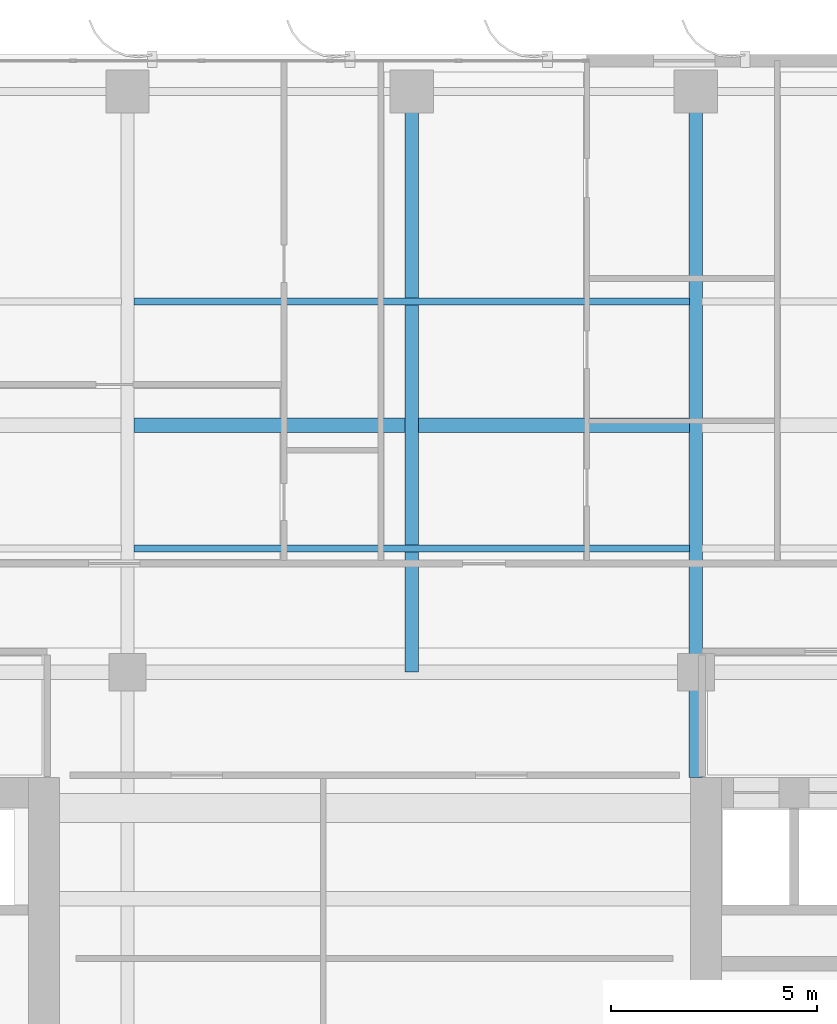
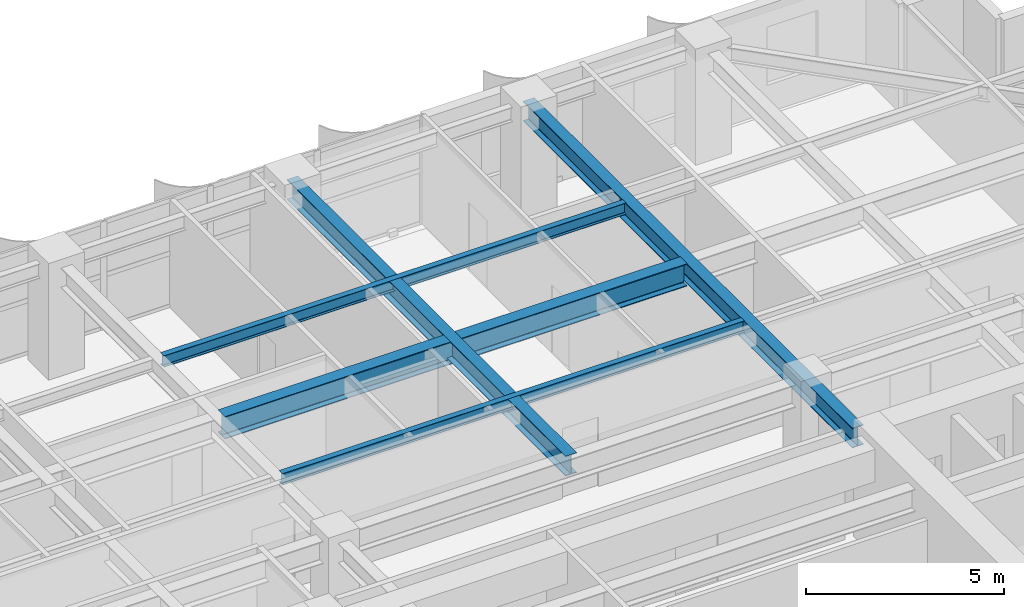
# One storey, part 10 of 22: 5 beams.
"""IFC4 building model written with IfcOpenShell, lengths in metres."""

from ifc_helpers import new_model, si_unit, direction, frame, origin, origin_2d, place, context, subcontext, project, spatial, i_section, extrude, source, transform, mapped, material, material_profile, profile_set, type_object, element, save


model = new_model("IFC4")

# Units and contexts
model_context = context("Model", 3, precision=1e-05, world=origin(), true_north=direction((0.0, 1.0)))
body_context = subcontext(model_context, "Body", "Model", "MODEL_VIEW")
ifc_project = project(units=[si_unit("LENGTHUNIT", "METRE"), si_unit("AREAUNIT", "SQUARE_METRE"), si_unit("VOLUMEUNIT", "CUBIC_METRE"), si_unit("PLANEANGLEUNIT", "RADIAN"), si_unit("MASSUNIT", "GRAM", prefix="KILO")], contexts=[model_context])

# Site, building, storey
site_placement = place(None, origin())
site = spatial("IfcSite", under=ifc_project, at=site_placement, CompositionType="ELEMENT")
building_placement = place(site_placement, origin())
building = spatial("IfcBuilding", under=site, at=building_placement, Name="Khoralis Quay Care Tower", CompositionType="ELEMENT")
storey_placement = place(building_placement, frame((0.0, 0.0, 94.5)))
storey = spatial("IfcBuildingStorey", under=building, at=storey_placement, Name="L24", CompositionType="ELEMENT", Elevation=94.5)

# Beams
ifc_material = material(Name="Steel S355", Category="steel")
ifc_material_profile_1 = material_profile(ifc_material, i_section(OverallWidth=0.35498046875, OverallDepth=0.695068359375, WebThickness=0.015380859375, FlangeThickness=0.02490234375, FilletRadius=0.02001953125, at=origin_2d()), Name="Steel S355")
ifc_profile_set_1 = profile_set([ifc_material_profile_1], Name="Steel S355")
beam_type_1 = type_object("IfcBeamType", Name="BM-W690X217", PredefinedType="BEAM", material=ifc_profile_set_1)
shared_shape_1 = source(origin(), body_context, "Body", "SweptSolid", [
    extrude(i_section(OverallWidth=0.35498046875, OverallDepth=0.695068359375, WebThickness=0.015380859375, FlangeThickness=0.02490234375, FilletRadius=0.02001953125, at=origin_2d()), origin(), (0.0, 0.0, 1.0), 13.4990234375),
])
beam_1_placement = place(storey_placement, frame((17.25048828125, 36.0, 2.992431640625), z_axis=(1.0, 0.0, 0.0), x_axis=(0.0, 1.0, 0.0)))
element("IfcBeam", 1, at=beam_1_placement, inside=storey, type_object=beam_type_1, Name="BM-TGCC-L24-360", PredefinedType="BEAM", context=body_context, shape_type="MappedRepresentation", body=[
    mapped(shared_shape_1, transform((0.0, 0.0, 0.0), scale=1.0)),
])
ifc_material_profile_2 = material_profile(ifc_material, i_section(OverallWidth=0.1708984375, OverallDepth=0.35498046875, WebThickness=0.007080078125, FlangeThickness=0.01171875, FilletRadius=0.012939453125, at=origin_2d()), Name="Steel S355")
ifc_profile_set_2 = profile_set([ifc_material_profile_2], Name="Steel S355")
beam_type_2 = type_object("IfcBeamType", Name="BM-W360X51", PredefinedType="JOIST", material=ifc_profile_set_2)
shared_shape_2 = source(origin(), body_context, "Body", "SweptSolid", [
    extrude(i_section(OverallWidth=0.1708984375, OverallDepth=0.35498046875, WebThickness=0.007080078125, FlangeThickness=0.01171875, FilletRadius=0.012939453125, at=origin_2d()), origin(), (0.0, 0.0, 1.0), 13.4990234375),
])
for number, where, z_axis, x_axis, name in (
    (2, (17.25048828125, 33.0, 3.16259765625), (1.0, 0.0, 0.0), (0.0, 1.0, 0.0), "BM-TJS-L24-30"),
    (3, (17.25048828125, 39.0, 3.16259765625), (1.0, 0.0, 0.0), (0.0, 1.0, 0.0), "BM-TJS-L24-33"),
):
    element("IfcBeam", number, at=place(storey_placement, frame(where, z_axis=z_axis, x_axis=x_axis)), inside=storey, type_object=beam_type_2, Name=name, PredefinedType="JOIST", context=body_context, shape_type="MappedRepresentation", body=[
        mapped(shared_shape_2, transform((0.0, 0.0, 0.0), scale=1.0)),
    ])
ifc_material_profile_3 = material_profile(ifc_material, i_section(OverallWidth=0.324951171875, OverallDepth=0.615966796875, WebThickness=0.013916015625, FlangeThickness=0.021484375, FilletRadius=0.01806640625, at=origin_2d()), Name="Steel S355")
ifc_profile_set_3 = profile_set([ifc_material_profile_3], Name="Steel S355")
beam_type_3 = type_object("IfcBeamType", Name="BM-W610X174", PredefinedType="BEAM", material=ifc_profile_set_3)
shared_shape_3 = source(origin(), body_context, "Body", "SweptSolid", [
    extrude(i_section(OverallWidth=0.324951171875, OverallDepth=0.615966796875, WebThickness=0.013916015625, FlangeThickness=0.021484375, FilletRadius=0.01806640625, at=origin_2d()), origin(), (0.0, 0.0, 1.0), 14.10009765625),
])
beam_2_placement = place(storey_placement, frame((24.0, 30.0, 3.031982421875), z_axis=(0.0, 1.0, 0.0), x_axis=(-1.0, 0.0, 0.0)))
element("IfcBeam", 4, at=beam_2_placement, inside=storey, type_object=beam_type_3, Name="BM-TGYN-L24-240", PredefinedType="BEAM", context=body_context, shape_type="MappedRepresentation", body=[
    mapped(shared_shape_3, transform((0.0, 0.0, 0.0), scale=1.0)),
])
shared_shape_4 = source(origin(), body_context, "Body", "SweptSolid", [
    extrude(i_section(OverallWidth=0.324951171875, OverallDepth=0.615966796875, WebThickness=0.013916015625, FlangeThickness=0.021484375, FilletRadius=0.01806640625, at=origin_2d()), origin(), (0.0, 0.0, 1.0), 16.652099609375),
])
beam_3_placement = place(storey_placement, frame((30.89990234375, 27.447998046875, 3.031982421875), z_axis=(0.0, 1.0, 0.0), x_axis=(-1.0, 0.0, 0.0)))
element("IfcBeam", 5, at=beam_3_placement, inside=storey, type_object=beam_type_3, Name="BM-TGYN-L24-309", PredefinedType="BEAM", context=body_context, shape_type="MappedRepresentation", body=[
    mapped(shared_shape_4, transform((0.0, 0.0, 0.0), scale=1.0)),
])

save(model, "model.ifc")
